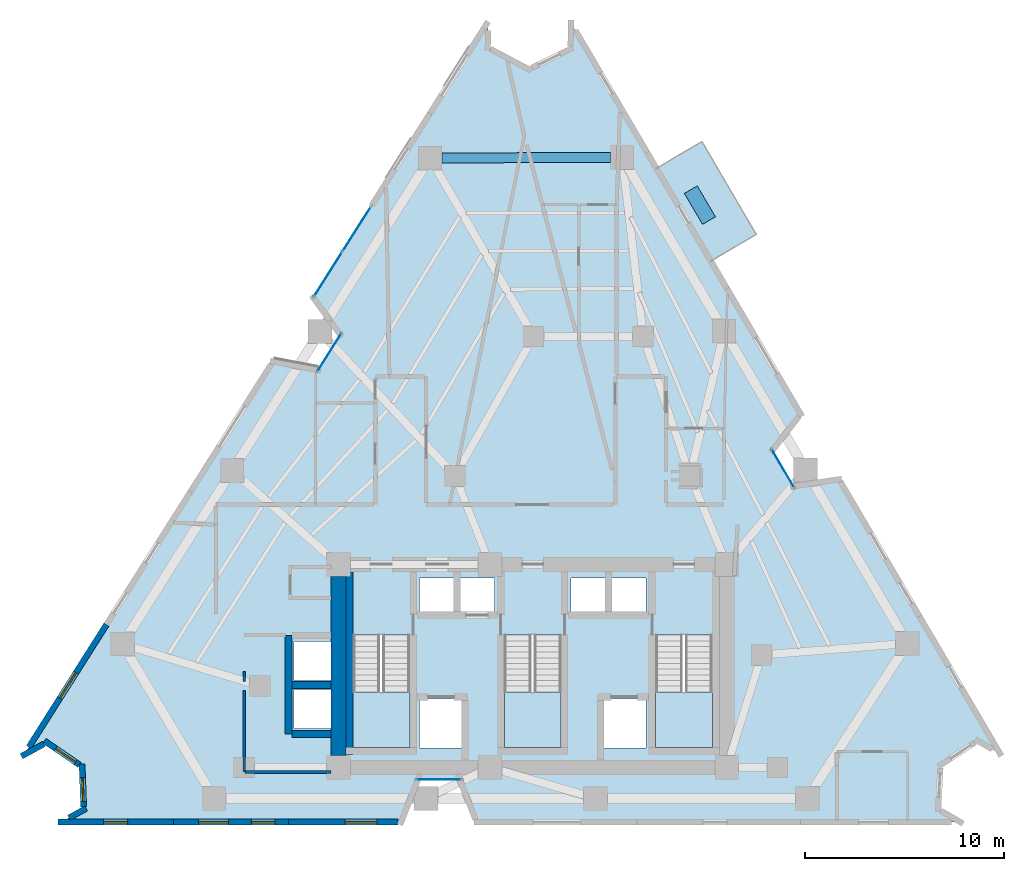
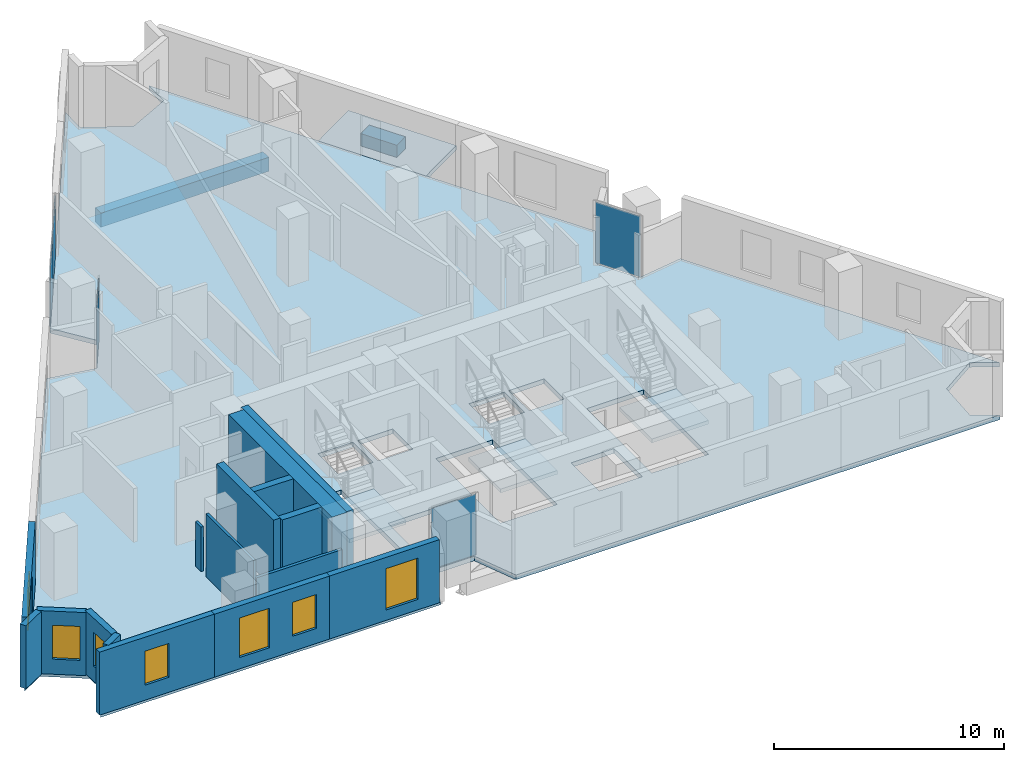
# One storey, part 5 of 11: 16 walls, 7 windows, 6 plates, 5 slabs, 1 beam, 7 openings, 7 elements without a shape of their own.
"""IFC4 building model written with IfcOpenShell, lengths in metres."""

import ifcopenshell
import ifcopenshell.guid

model = None  # the IFC model being written
_history = None  # IfcOwnerHistory: only IFC2X3 demands one
_inside = {}  # id of a spatial element -> (the spatial element, [elements in it])
_under = {}  # id of a project, library or spatial element -> (it, [spatial elements below it])
_declared = {}  # id of a project -> (the project, [libraries it declares])
_typed = {}  # id of a type object -> (the type object, [elements of that type])
_made_of = {}  # id of a material, layer set ... -> (it, [elements and type objects made of it])


def new_model(schema):
    """Start an empty IFC model of exactly this schema.

    Asked for "IFC4X3", IfcOpenShell would pick the latest addendum, in which some entities
    have other attributes; the version numbers below select the first issue.
    IFC2X3 requires an IfcOwnerHistory on every rooted entity: one is made here for all.
    """
    global model, _history
    if schema == "IFC4X3":
        model = ifcopenshell.file(schema_version=(4, 3, 0, 0))
    else:
        model = ifcopenshell.file(schema=schema)
    _inside.clear()
    _under.clear()
    _declared.clear()
    _typed.clear()
    _made_of.clear()
    _history = None
    if model.schema == "IFC2X3":
        org = make("IfcOrganization", Name="unknown")
        user = make(
            "IfcPersonAndOrganization",
            ThePerson=make("IfcPerson", FamilyName="unknown"),
            TheOrganization=org,
        )
        app = make(
            "IfcApplication",
            ApplicationDeveloper=org,
            Version="unknown",
            ApplicationFullName="unknown",
            ApplicationIdentifier="unknown",
        )
        _history = make(
            "IfcOwnerHistory",
            OwningUser=user,
            OwningApplication=app,
            ChangeAction="ADDED",
            CreationDate=0,
        )
    return model


def make(cls, **values):
    """One entity of the class cls with the attributes given. An attribute that is None is left unset."""
    return model.create_entity(
        cls, **{name: value for name, value in values.items() if value is not None}
    )


def rooted(cls, **values):
    """An entity with a GlobalId (a new one), such as an element, a storey or a relation."""
    return make(cls, GlobalId=ifcopenshell.guid.new(), OwnerHistory=_history, **values)


def si_unit(unit_type, name, prefix=None):
    """IfcSIUnit, for example si_unit("LENGTHUNIT", "METRE", prefix="MILLI")."""
    return make("IfcSIUnit", UnitType=unit_type, Prefix=prefix, Name=name)


def assignment(units):
    """IfcUnitAssignment: the units of a project."""
    return None if units is None else make("IfcUnitAssignment", Units=units)


def point(xyz):
    """IfcCartesianPoint."""
    return None if xyz is None else make("IfcCartesianPoint", Coordinates=xyz)


def direction(xyz):
    """IfcDirection."""
    return None if xyz is None else make("IfcDirection", DirectionRatios=xyz)


def frame(location, z_axis=None, x_axis=None):
    """IfcAxis2Placement3D, a coordinate frame: its origin and axes. An axis left out is left unset."""
    return make(
        "IfcAxis2Placement3D",
        Location=point(location),
        Axis=direction(z_axis),
        RefDirection=direction(x_axis),
    )


def frame_2d(location, x_axis=None):
    """IfcAxis2Placement2D, a coordinate frame in the plane: its origin and x axis."""
    return make(
        "IfcAxis2Placement2D", Location=point(location), RefDirection=direction(x_axis)
    )


def origin():
    """The frame at (0, 0, 0) with its axes left unset."""
    return frame((0.0, 0.0, 0.0))


def origin_2d():
    """The frame at (0, 0) in the plane with its x axis left unset."""
    return frame_2d((0.0, 0.0))


def place(relative_to, where):
    """IfcLocalPlacement: puts the frame where relative to a parent placement (None: the world)."""
    return make(
        "IfcLocalPlacement", PlacementRelTo=relative_to, RelativePlacement=where
    )


def context(
    kind, dimensions, precision=None, world=None, true_north=None, identifier=None
):
    """IfcGeometricRepresentationContext, for example the 3D "Model" context."""
    return make(
        "IfcGeometricRepresentationContext",
        ContextIdentifier=identifier,
        ContextType=kind,
        CoordinateSpaceDimension=dimensions,
        Precision=precision,
        WorldCoordinateSystem=world,
        TrueNorth=true_north,
    )


def subcontext(parent, identifier, kind, view, scale=None):
    """IfcGeometricRepresentationSubContext, for example "Body" below "Model"."""
    return make(
        "IfcGeometricRepresentationSubContext",
        ContextIdentifier=identifier,
        ContextType=kind,
        ParentContext=parent,
        TargetScale=scale,
        TargetView=view,
    )


def project(units=None, contexts=None):
    """IfcProject with its units and contexts."""
    return rooted(
        "IfcProject",
        Name="project",
        RepresentationContexts=contexts,
        UnitsInContext=assignment(units),
    )


def spatial(cls, under=None, at=None, **own):
    """A site, building, storey or space (cls), placed at a placement, below another one or the project."""
    s = rooted(cls, ObjectPlacement=at, **own)
    if under is not None:
        _under.setdefault(under.id(), (under, []))[1].append(s)
    return s


def polyline(points):
    """IfcPolyline through the points."""
    return make("IfcPolyline", Points=[point(p) for p in points])


def profile(cls, at=None, kind="AREA", **sizes):
    """A parametric profile (cls). Its sizes go by their IFC names, for example OverallWidth=200.0."""
    return make(cls, ProfileType=kind, Position=at, **sizes)


def rectangle(**sizes):
    """IfcRectangleProfileDef."""
    return profile("IfcRectangleProfileDef", **sizes)


def outline(outer, holes=None, kind="AREA"):
    """IfcArbitraryClosedProfileDef: a profile drawn as a closed curve; with holes, ...WithVoids."""
    if holes is None:
        return make("IfcArbitraryClosedProfileDef", ProfileType=kind, OuterCurve=outer)
    return make(
        "IfcArbitraryProfileDefWithVoids",
        ProfileType=kind,
        OuterCurve=outer,
        InnerCurves=holes,
    )


def extrude(swept, where, along, depth):
    """IfcExtrudedAreaSolid: the profile swept, set in the frame where, extruded along a direction by depth."""
    return make(
        "IfcExtrudedAreaSolid",
        SweptArea=swept,
        Position=where,
        ExtrudedDirection=direction(along),
        Depth=depth,
    )


def shape(context_of_items, identifier, shape_type, items):
    """IfcShapeRepresentation: the items that make up one representation, for example the "Body"."""
    return make(
        "IfcShapeRepresentation",
        ContextOfItems=context_of_items,
        RepresentationIdentifier=identifier,
        RepresentationType=shape_type,
        Items=items,
    )


def material(Name=None, Category=None):
    """IfcMaterial."""
    return make("IfcMaterial", Name=Name, Category=Category)


def layer(
    of_material, thickness, ventilated=None, Name=None, Category=None, Priority=None
):
    """IfcMaterialLayer: one layer of a wall or slab, of a material (None: an air gap)."""
    return make(
        "IfcMaterialLayer",
        Material=of_material,
        LayerThickness=thickness,
        IsVentilated=ventilated,
        Name=Name,
        Category=Category,
        Priority=Priority,
    )


def layer_set(layers, Name=None):
    """IfcMaterialLayerSet."""
    return make("IfcMaterialLayerSet", MaterialLayers=layers, LayerSetName=Name)


def material_profile(
    of_material, cross_section, Name=None, Category=None, Priority=None
):
    """IfcMaterialProfile: a cross section and its material."""
    return make(
        "IfcMaterialProfile",
        Name=Name,
        Material=of_material,
        Profile=cross_section,
        Priority=Priority,
        Category=Category,
    )


def profile_set(profiles, Name=None, composite=None):
    """IfcMaterialProfileSet."""
    return make(
        "IfcMaterialProfileSet",
        Name=Name,
        MaterialProfiles=profiles,
        CompositeProfile=composite,
    )


def made_of(thing, what):
    """Note that an element or type object is made of a material, layer set ...; save() writes the relation."""
    if what is not None:
        _made_of.setdefault(what.id(), (what, []))[1].append(thing)
    return thing


def type_object(cls, material=None, **own):
    """A type object (cls), such as IfcWallType, which elements share."""
    return made_of(rooted(cls, **own), material)


def element(
    cls,
    number,
    at=None,
    inside=None,
    cuts=None,
    type_object=None,
    material=None,
    context=None,
    identifier="Body",
    shape_type=None,
    held_by="IfcProductDefinitionShape",
    body=None,
    shapes=None,
    **own,
):
    """One element of the class cls, such as IfcWall. Its Tag is "e" and its number.

    at: its placement. inside: the storey or other place that contains it. cuts: it is an
    opening in that element (IfcRelVoidsElement). A single representation is given by context,
    identifier, shape_type and body (its items); several are given by shapes. held_by: the class
    of the entity that holds the representations. save() writes the other relations.
    """
    e = rooted(cls, Tag="e%d" % number, ObjectPlacement=at, **own)
    if body is not None:
        shapes = [shape(context, identifier, shape_type, body)]
    if shapes is not None:
        e.Representation = make(held_by, Representations=shapes)
    if inside is not None:
        _inside.setdefault(inside.id(), (inside, []))[1].append(e)
    if cuts is not None:
        rooted(
            "IfcRelVoidsElement", RelatingBuildingElement=cuts, RelatedOpeningElement=e
        )
    if type_object is not None:
        _typed.setdefault(type_object.id(), (type_object, []))[1].append(e)
    return made_of(e, material)


def fill(opening, filler):
    """IfcRelFillsElement: the door or window that sits in an opening."""
    return rooted(
        "IfcRelFillsElement",
        RelatingOpeningElement=opening,
        RelatedBuildingElement=filler,
    )


def aggregate(whole, parts):
    """IfcRelAggregates: a whole, such as a stair, and the parts it consists of."""
    return rooted("IfcRelAggregates", RelatingObject=whole, RelatedObjects=parts)


def save(model, path):
    """Write the relations noted so far, then the file.

    IfcRelAggregates (storeys below a building ...), IfcRelContainedInSpatialStructure (elements
    in a storey), IfcRelDefinesByType, IfcRelAssociatesMaterial and IfcRelDeclares: one each for
    every whole, place, type object, material and project.
    """
    for whole, parts in _under.values():
        aggregate(whole, parts)
    for where, things in _inside.values():
        rooted(
            "IfcRelContainedInSpatialStructure",
            RelatedElements=things,
            RelatingStructure=where,
        )
    for kind, things in _typed.values():
        rooted("IfcRelDefinesByType", RelatedObjects=things, RelatingType=kind)
    for what, things in _made_of.values():
        rooted("IfcRelAssociatesMaterial", RelatedObjects=things, RelatingMaterial=what)
    for by, libraries in _declared.values():
        rooted("IfcRelDeclares", RelatingContext=by, RelatedDefinitions=libraries)
    model.write(path)


model = new_model("IFC4")

# Units and contexts
model_context = context("Model", 3, precision=1e-05, world=origin(), true_north=direction((0.0, 1.0)))
body_context = subcontext(model_context, "Body", "Model", "MODEL_VIEW")
ifc_project = project(units=[si_unit("LENGTHUNIT", "METRE"), si_unit("AREAUNIT", "SQUARE_METRE"), si_unit("VOLUMEUNIT", "CUBIC_METRE"), si_unit("PLANEANGLEUNIT", "RADIAN"), si_unit("MASSUNIT", "GRAM", prefix="KILO")], contexts=[model_context])

# Site, building, storey
site_placement = place(None, origin())
site = spatial("IfcSite", under=ifc_project, at=site_placement, CompositionType="ELEMENT")
building_placement = place(site_placement, origin())
building = spatial("IfcBuilding", under=site, at=building_placement, Name="Almagre Mirador Tower", CompositionType="ELEMENT")
storey_placement = place(building_placement, frame((0.0, 0.0, 124.800048828125)))
storey = spatial("IfcBuildingStorey", under=building, at=storey_placement, Name="L31", CompositionType="ELEMENT", Elevation=124.800048828125)

# Beam
ifc_material_1 = material(Name="Precast concrete C50/60", Category="concrete")
ifc_material_profile = material_profile(ifc_material_1, rectangle(XDim=0.5, YDim=0.75, at=origin_2d()), Name="RC500X750")
ifc_profile_set = profile_set([ifc_material_profile], Name="Precast concrete C50/60")
beam_type = type_object("IfcBeamType", Name="BM-SPN-RC500X750", PredefinedType="SPANDREL", material=ifc_profile_set)
beam_placement = place(storey_placement, frame((41.197021484375, 35.197998046875, -0.625), z_axis=(-0.999993795162, -0.003522731665, 0.0), x_axis=(0.003522731665, -0.999993795162, 0.0)))
element("IfcBeam", 1, at=beam_placement, inside=storey, type_object=beam_type, Name="L31 perimeter spandrel beam PC08-PC09", PredefinedType="SPANDREL", context=body_context, shape_type="SweptSolid", body=[
    extrude(rectangle(XDim=0.5, YDim=0.75, at=origin_2d()), origin(), (0.0, 0.0, 1.0), 8.455078125),
])

# Curtain wall, plate
ifc_material_2 = material(Name="Black anodized aluminium", Category="aluminium")
ifc_layer_1 = layer(ifc_material_2, 0.169921875)
ifc_layer_set_1 = layer_set([ifc_layer_1], Name="Black anodized aluminium")
curtain_wall_type_1 = type_object("IfcCurtainWallType", Name="CW-CRS-SYS", PredefinedType="NOTDEFINED", material=ifc_layer_set_1)
curtain_wall_1_placement = place(storey_placement, origin())
curtain_wall_1 = element("IfcCurtainWall", 2, at=curtain_wall_1_placement, inside=storey, type_object=curtain_wall_type_1, Name="L31 vertical crease curtain wall 01", PredefinedType="NOTDEFINED")
ifc_material_3 = material(Name="Dark solar-control laminated hurricane glass", Category="glass")
ifc_layer_2 = layer(ifc_material_3, 0.028076171875)
ifc_layer_set_2 = layer_set([ifc_layer_2], Name="Dark solar-control laminated hurricane glass")
plate_type_1 = type_object("IfcPlateType", Name="PLT-GLZ-28", PredefinedType="CURTAIN_PANEL", material=ifc_layer_set_2)
plate_1_placement = place(storey_placement, frame((27.08203125, 25.39697265625, 0.06005859375), z_axis=(0.0, 0.0, 1.0), x_axis=(0.534897494582, 0.844916960589, 0.0)))
plate_1 = element("IfcPlate", 3, at=plate_1_placement, type_object=plate_type_1, Name="CW-4 panel 1.1", PredefinedType="CURTAIN_PANEL", context=body_context, shape_type="SweptSolid", body=[
    extrude(rectangle(XDim=2.250244140625, YDim=0.028076171875, at=origin_2d()), origin(), (0.0, 0.0, 1.0), 3.22998046875),
])
aggregate(curtain_wall_1, [plate_1])

curtain_wall_2_placement = place(storey_placement, origin())
curtain_wall_2 = element("IfcCurtainWall", 4, at=curtain_wall_2_placement, inside=storey, type_object=curtain_wall_type_1, Name="L31 vertical crease curtain wall 03", PredefinedType="NOTDEFINED")
plate_2_placement = place(storey_placement, frame((49.8701171875, 19.574951171875, 0.06005859375), z_axis=(0.0, 0.0, 1.0), x_axis=(0.506330207561, -0.862339678382, 0.0)))
plate_2 = element("IfcPlate", 5, at=plate_2_placement, type_object=plate_type_1, Name="CW-4 panel 1.1", PredefinedType="CURTAIN_PANEL", context=body_context, shape_type="SweptSolid", body=[
    extrude(rectangle(XDim=2.24951171875, YDim=0.028076171875, at=origin_2d()), origin(), (0.0, 0.0, 1.0), 3.22998046875),
])
aggregate(curtain_wall_2, [plate_2])

curtain_wall_3_placement = place(storey_placement, origin())
curtain_wall_3 = element("IfcCurtainWall", 6, at=curtain_wall_3_placement, inside=storey, type_object=curtain_wall_type_1, Name="L31 vertical crease curtain wall 04", PredefinedType="NOTDEFINED")
plate_3_placement = place(storey_placement, frame((32.583984375, 3.949951171875, 0.06005859375), z_axis=(0.0, 0.0, 1.0), x_axis=(-1.0, 0.0, 0.0)))
plate_3 = element("IfcPlate", 7, at=plate_3_placement, type_object=plate_type_1, Name="CW-4 panel 1.1", PredefinedType="CURTAIN_PANEL", context=body_context, shape_type="SweptSolid", body=[
    extrude(rectangle(XDim=2.25, YDim=0.028076171875, at=origin_2d()), origin(), (0.0, 0.0, 1.0), 3.22998046875),
])
aggregate(curtain_wall_3, [plate_3])

# Curtain wall, plates
ifc_material_4 = material(Name="Black anodized aluminium", Category="aluminium")
ifc_layer_3 = layer(ifc_material_4, 0.199951171875)
ifc_layer_set_3 = layer_set([ifc_layer_3], Name="Black anodized aluminium")
curtain_wall_type_2 = type_object("IfcCurtainWallType", Name="CW-RES-H-SYS", PredefinedType="NOTDEFINED", material=ifc_layer_set_3)
curtain_wall_4_placement = place(storey_placement, origin())
curtain_wall_4 = element("IfcCurtainWall", 8, at=curtain_wall_4_placement, inside=storey, type_object=curtain_wall_type_2, Name="L31 curtain wall run 02", PredefinedType="NOTDEFINED")
ifc_material_5 = material(Name="Dark solar-control laminated hurricane glass", Category="glass")
ifc_layer_4 = layer(ifc_material_5, 0.035888671875)
ifc_layer_set_4 = layer_set([ifc_layer_4], Name="Dark solar-control laminated hurricane glass")
plate_type_2 = type_object("IfcPlateType", Name="PLT-GLZ-36", PredefinedType="CURTAIN_PANEL", material=ifc_layer_set_4)
plate_4_placement = place(storey_placement, frame((27.022216796875, 29.322265625, 0.06494140625), z_axis=(0.0, 0.0, 1.0), x_axis=(0.534901172271, 0.844914632317, 0.0)))
plate_4 = element("IfcPlate", 9, at=plate_4_placement, type_object=plate_type_2, Name="CW-3 panel 1.1", PredefinedType="CURTAIN_PANEL", context=body_context, shape_type="SweptSolid", body=[
    extrude(rectangle(XDim=2.637939453125, YDim=0.035888671875, at=origin_2d()), origin(), (0.0, 0.0, 1.0), 3.219970703125),
])
plate_5_placement = place(storey_placement, frame((28.468017578125, 31.60595703125, 0.06494140625), z_axis=(0.0, 0.0, 1.0), x_axis=(0.534901172271, 0.844914632317, 0.0)))
plate_5 = element("IfcPlate", 10, at=plate_5_placement, type_object=plate_type_2, Name="CW-3 panel 2.1", PredefinedType="CURTAIN_PANEL", context=body_context, shape_type="SweptSolid", body=[
    extrude(rectangle(XDim=2.637939453125, YDim=0.035888671875, at=origin_2d()), origin(), (0.0, 0.0, 1.0), 3.219970703125),
])
aggregate(curtain_wall_4, [plate_4, plate_5])

# Plate
ifc_material_6 = material(Name="Precast concrete C50/60", Category="concrete")
ifc_layer_5 = layer(ifc_material_6, 0.64990234375)
ifc_layer_set_5 = layer_set([ifc_layer_5], Name="Precast concrete C50/60")
plate_type_3 = type_object("IfcPlateType", Name="PLT-PLANTER-1800", PredefinedType="USERDEFINED", material=ifc_layer_set_5)
plate_6_placement = place(storey_placement, frame((45.698974609375, 32.801025390625, 0.0), z_axis=(0.0, 0.0, 1.0), x_axis=(-0.506334807353, 0.862336977557, 0.0)))
element("IfcPlate", 11, at=plate_6_placement, inside=storey, type_object=plate_type_3, Name="L31 east balcony structural tree planter 2", ObjectType="PLANTER", PredefinedType="USERDEFINED", context=body_context, shape_type="SweptSolid", body=[
    extrude(rectangle(XDim=1.800048828125, YDim=0.75, at=origin_2d()), origin(), (0.0, 0.0, 1.0), 0.64990234375),
])

# Slabs
ifc_material_7 = material(Name="Concrete C45/55", Category="concrete")
ifc_layer_6 = layer(ifc_material_7, 0.239990234375)
ifc_layer_set_6 = layer_set([ifc_layer_6], Name="Concrete C45/55")
slab_type_1 = type_object("IfcSlabType", Name="SLB-BAL-240", PredefinedType="USERDEFINED", material=ifc_layer_set_6)
slab_1_placement = place(storey_placement, frame((0.0, 0.0, -0.239990234375)))
element("IfcSlab", 12, at=slab_1_placement, inside=storey, type_object=slab_type_1, Name="L31 east planted tree balcony 2", ObjectType="BALCONY", PredefinedType="USERDEFINED", context=body_context, shape_type="SweptSolid", body=[
    extrude(outline(polyline([(46.22998046875, 29.98193359375), (43.49609375, 34.637939453125), (45.798095703125, 35.989990234375), (48.531982421875, 31.3330078125), (46.22998046875, 29.98193359375)])), origin(), (0.0, 0.0, 1.0), 0.239990234375),
])
ifc_material_8 = material(Name="Concrete C45/55", Category="concrete")
ifc_layer_7 = layer(ifc_material_8, 0.25)
ifc_layer_set_7 = layer_set([ifc_layer_7], Name="Concrete C45/55")
slab_type_2 = type_object("IfcSlabType", Name="SLB-FLR-250", PredefinedType="FLOOR", material=ifc_layer_set_7)
slab_2_placement = place(storey_placement, frame((0.0, 0.0, -0.25)))
element("IfcSlab", 13, at=slab_2_placement, inside=storey, type_object=slab_type_2, Name="L31 structural floor slab", PredefinedType="FLOOR", context=body_context, shape_type="SweptSolid", body=[
    extrude(outline(polyline([(11.739013671875, 5.179931640625), (12.883056640625, 5.80908203125), (14.6630859375, 4.5869140625), (14.742919921875, 2.428955078125), (13.60009765625, 1.800048828125), (30.68408203125, 1.800048828125), (31.5390625, 3.949951171875), (33.62890625, 3.949951171875), (34.48388671875, 1.800048828125), (58.800048828125, 1.800048828125), (57.6669921875, 2.447998046875), (57.783935546875, 4.672119140625), (59.64208984375, 5.89794921875), (60.77490234375, 5.2490234375), (52.68603515625, 19.02490234375), (50.39892578125, 18.674072265625), (49.341064453125, 20.47607421875), (50.761962890625, 22.302001953125), (39.22509765625, 41.950927734375), (39.2041015625, 40.64599609375), (37.10302734375, 39.62109375), (35.0390625, 40.715087890625), (35.06103515625, 42.02001953125), (26.281982421875, 28.153076171875), (27.64111328125, 26.280029296875), (26.52294921875, 24.513916015625), (24.2490234375, 24.94189453125), (11.739013671875, 5.179931640625)]), holes=[polyline([(43.47509765625, 5.550048828125), (43.47509765625, 11.196044921875), (46.324951171875, 11.196044921875), (46.324951171875, 5.550048828125), (43.47509765625, 5.550048828125)]), polyline([(40.820068359375, 5.52001953125), (40.820068359375, 7.97998046875), (42.97998046875, 7.97998046875), (42.97998046875, 5.52001953125), (40.820068359375, 5.52001953125)]), polyline([(41.219970703125, 12.320068359375), (41.219970703125, 14.080078125), (42.97998046875, 14.080078125), (42.97998046875, 12.320068359375), (41.219970703125, 12.320068359375)]), polyline([(39.219970703125, 12.320068359375), (39.219970703125, 14.080078125), (40.97998046875, 14.080078125), (40.97998046875, 12.320068359375), (39.219970703125, 12.320068359375)]), polyline([(35.875, 11.196044921875), (38.72509765625, 11.196044921875), (38.72509765625, 5.550048828125), (35.875, 5.550048828125), (35.875, 11.196044921875)]), polyline([(35.3798828125, 12.320068359375), (33.6201171875, 12.320068359375), (33.6201171875, 14.080078125), (35.3798828125, 14.080078125), (35.3798828125, 12.320068359375)]), polyline([(33.780029296875, 5.52001953125), (31.6201171875, 5.52001953125), (31.6201171875, 7.97998046875), (33.780029296875, 7.97998046875), (33.780029296875, 5.52001953125)]), polyline([(31.6201171875, 12.320068359375), (31.6201171875, 14.080078125), (33.3798828125, 14.080078125), (33.3798828125, 12.320068359375), (31.6201171875, 12.320068359375)]), polyline([(28.27490234375, 5.550048828125), (28.27490234375, 11.196044921875), (31.125, 11.196044921875), (31.125, 5.550048828125), (28.27490234375, 5.550048828125)]), polyline([(25.320068359375, 8.919921875), (25.320068359375, 10.8798828125), (27.3798828125, 10.8798828125), (27.3798828125, 8.919921875), (25.320068359375, 8.919921875)]), polyline([(27.3798828125, 6.52001953125), (25.320068359375, 6.52001953125), (25.320068359375, 8.47998046875), (27.3798828125, 8.47998046875), (27.3798828125, 6.52001953125)])]), origin(), (0.0, 0.0, 1.0), 0.25),
])

# Stair, slab
ifc_material_9 = material(Name="Concrete C45/55", Category="concrete")
stair_type = type_object("IfcStairType", Name="STR-DL-3600", PredefinedType="HALF_TURN_STAIR", material=ifc_material_9)
stair_1_placement = place(storey_placement, origin())
stair_1 = element("IfcStair", 14, at=stair_1_placement, inside=storey, type_object=stair_type, Name="L31 Protected exit stair ST-1", PredefinedType="HALF_TURN_STAIR")
ifc_material_10 = material(Name="Concrete C45/55", Category="concrete")
ifc_layer_8 = layer(ifc_material_10, 0.199951171875)
ifc_layer_set_8 = layer_set([ifc_layer_8], Name="Concrete C45/55")
slab_type_3 = type_object("IfcSlabType", Name="SLB-LND-200", PredefinedType="LANDING", material=ifc_layer_set_8)
slab_3_placement = place(storey_placement, frame((0.0, 0.0, 1.599853515625)))
slab_3 = element("IfcSlab", 15, at=slab_3_placement, type_object=slab_type_3, Name="ST-1 landing 1", PredefinedType="LANDING", context=body_context, shape_type="SweptSolid", body=[
    extrude(outline(polyline([(28.27490234375, 8.35009765625), (28.27490234375, 5.550048828125), (31.125, 5.550048828125), (31.125, 8.35009765625), (28.27490234375, 8.35009765625)])), origin(), (0.0, 0.0, 1.0), 0.2001953125),
])
aggregate(stair_1, [slab_3])

stair_2_placement = place(storey_placement, origin())
stair_2 = element("IfcStair", 16, at=stair_2_placement, inside=storey, type_object=stair_type, Name="L31 Protected exit stair ST-2", PredefinedType="HALF_TURN_STAIR")
slab_4_placement = place(storey_placement, frame((0.0, 0.0, 1.599853515625)))
slab_4 = element("IfcSlab", 17, at=slab_4_placement, type_object=slab_type_3, Name="ST-2 landing 1", PredefinedType="LANDING", context=body_context, shape_type="SweptSolid", body=[
    extrude(outline(polyline([(35.875, 8.35009765625), (35.875, 5.550048828125), (38.72509765625, 5.550048828125), (38.72509765625, 8.35009765625), (35.875, 8.35009765625)])), origin(), (0.0, 0.0, 1.0), 0.2001953125),
])
aggregate(stair_2, [slab_4])

stair_3_placement = place(storey_placement, origin())
stair_3 = element("IfcStair", 18, at=stair_3_placement, inside=storey, type_object=stair_type, Name="L31 Protected exit stair ST-3", PredefinedType="HALF_TURN_STAIR")
slab_5_placement = place(storey_placement, frame((0.0, 0.0, 1.599853515625)))
slab_5 = element("IfcSlab", 19, at=slab_5_placement, type_object=slab_type_3, Name="ST-3 landing 1", PredefinedType="LANDING", context=body_context, shape_type="SweptSolid", body=[
    extrude(outline(polyline([(43.47509765625, 8.35009765625), (43.47509765625, 5.550048828125), (46.324951171875, 5.550048828125), (46.324951171875, 8.35009765625), (43.47509765625, 8.35009765625)])), origin(), (0.0, 0.0, 1.0), 0.2001953125),
])
aggregate(stair_3, [slab_5])

# Wall, opening, window
ifc_material_11 = material(Name="Precast concrete C50/60", Category="concrete")
ifc_layer_9 = layer(ifc_material_11, 0.300048828125)
ifc_layer_set_9 = layer_set([ifc_layer_9], Name="Precast concrete C50/60")
wall_type_1 = type_object("IfcWallType", Name="WAL-EXT-300", PredefinedType="SOLIDWALL", material=ifc_layer_set_9)
wall_1_placement = place(storey_placement, frame((30.5439453125, 1.800048828125, 0.0), z_axis=(0.0, 0.0, 1.0), x_axis=(-1.0, 0.0, 0.0)))
wall_1 = element("IfcWall", 20, at=wall_1_placement, inside=storey, type_object=wall_type_1, Name="L31 expressed almagre precast frame wall 26", PredefinedType="SOLIDWALL", context=body_context, shape_type="SweptSolid", body=[
    extrude(rectangle(XDim=5.508056640625, YDim=0.300048828125, at=frame_2d((2.75390625, 0.0))), origin(), (0.0, 0.0, 1.0), 3.349853515625),
])
opening_1_placement = place(wall_1_placement, frame((1.070068359375, 0.0, 0.550048828125)))
opening_1 = element("IfcOpeningElement", 21, at=opening_1_placement, cuts=wall_1, Name="Opening WN-06", PredefinedType="OPENING", context=body_context, shape_type="SweptSolid", body=[
    extrude(rectangle(XDim=1.60009765625, YDim=2.199951171875, at=frame_2d((0.800048828125, 1.10009765625))), frame((0.0, 0.159902, 0.0), z_axis=(0.0, -1.0, 0.0), x_axis=(1.0, 0.0, 0.0)), (0.0, 0.0, 1.0), 0.320049),
])
ifc_material_12 = material(Name="Dark solar-control laminated hurricane glass", Category="glass")
window_type_1 = type_object("IfcWindowType", Name="WIN-1600X2200", PartitioningType="DOUBLE_PANEL_VERTICAL", PredefinedType="WINDOW", material=ifc_material_12)
window_1_placement = place(opening_1_placement, origin())
window_1 = element("IfcWindow", 22, at=window_1_placement, inside=storey, type_object=window_type_1, Name="L31 recessed hurricane window L31-RST-B", OverallHeight=2.199951171875, OverallWidth=1.60009765625, PartitioningType="SINGLE_PANEL", PredefinedType="WINDOW", context=body_context, shape_type="SweptSolid", body=[
    extrude(rectangle(XDim=1.60009765625, YDim=2.199951171875, at=frame_2d((0.800048828125, 1.10009765625))), frame((0.0, 0.030029296875, 0.0), z_axis=(0.0, -1.0, 0.0), x_axis=(1.0, 0.0, 0.0)), (0.0, 0.0, 1.0), 0.06005859375),
])
fill(opening_1, window_1)

# Wall, openings, windows
wall_2_placement = place(storey_placement, frame((25.035888671875, 1.800048828125, 0.0), z_axis=(0.0, 0.0, 1.0), x_axis=(-1.0, 0.0, 0.0)))
wall_2 = element("IfcWall", 23, at=wall_2_placement, inside=storey, type_object=wall_type_1, Name="L31 expressed almagre precast frame wall 27", PredefinedType="SOLIDWALL", context=body_context, shape_type="SweptSolid", body=[
    extrude(rectangle(XDim=5.787841796875, YDim=0.300048828125, at=frame_2d((2.89404296875, 0.0))), origin(), (0.0, 0.0, 1.0), 3.349853515625),
])
opening_2_placement = place(wall_2_placement, frame((3.02490234375, 0.0, 0.60009765625)))
opening_2 = element("IfcOpeningElement", 24, at=opening_2_placement, cuts=wall_2, Name="Opening WN-03", PredefinedType="OPENING", context=body_context, shape_type="SweptSolid", body=[
    extrude(rectangle(XDim=1.5, YDim=2.10009765625, at=frame_2d((0.75, 1.050048828125))), frame((0.0, 0.159902, 0.0), z_axis=(0.0, -1.0, 0.0), x_axis=(1.0, 0.0, 0.0)), (0.0, 0.0, 1.0), 0.320049),
])
opening_3_placement = place(wall_2_placement, frame((0.675048828125, 0.0, 0.800048828125)))
opening_3 = element("IfcOpeningElement", 25, at=opening_3_placement, cuts=wall_2, Name="Opening WN-04", PredefinedType="OPENING", context=body_context, shape_type="SweptSolid", body=[
    extrude(rectangle(XDim=1.199951171875, YDim=1.800048828125, at=frame_2d((0.60009765625, 0.89990234375))), frame((0.0, 0.159902, 0.0), z_axis=(0.0, -1.0, 0.0), x_axis=(1.0, 0.0, 0.0)), (0.0, 0.0, 1.0), 0.320049),
])
ifc_material_13 = material(Name="Dark solar-control laminated hurricane glass", Category="glass")
window_type_2 = type_object("IfcWindowType", Name="WIN-1200X1800", PartitioningType="SINGLE_PANEL", PredefinedType="WINDOW", material=ifc_material_13)
window_2_placement = place(opening_3_placement, origin())
window_2 = element("IfcWindow", 26, at=window_2_placement, inside=storey, type_object=window_type_2, Name="L31 recessed hurricane window L31-UA-BT", OverallHeight=1.800048828125, OverallWidth=1.199951171875, PartitioningType="SINGLE_PANEL", PredefinedType="WINDOW", context=body_context, shape_type="SweptSolid", body=[
    extrude(rectangle(XDim=1.199951171875, YDim=1.800048828125, at=frame_2d((0.60009765625, 0.89990234375))), frame((0.0, 0.030029296875, 0.0), z_axis=(0.0, -1.0, 0.0), x_axis=(1.0, 0.0, 0.0)), (0.0, 0.0, 1.0), 0.06005859375),
])
fill(opening_3, window_2)
ifc_material_14 = material(Name="Dark solar-control laminated hurricane glass", Category="glass")
window_type_3 = type_object("IfcWindowType", Name="WIN-1500X2100", PartitioningType="DOUBLE_PANEL_VERTICAL", PredefinedType="WINDOW", material=ifc_material_14)
window_3_placement = place(opening_2_placement, origin())
window_3 = element("IfcWindow", 27, at=window_3_placement, inside=storey, type_object=window_type_3, Name="L31 recessed hurricane window L31-UA-KT", OverallHeight=2.10009765625, OverallWidth=1.5, PartitioningType="SINGLE_PANEL", PredefinedType="WINDOW", context=body_context, shape_type="SweptSolid", body=[
    extrude(rectangle(XDim=1.5, YDim=2.10009765625, at=frame_2d((0.75, 1.050048828125))), frame((0.0, 0.030029296875, 0.0), z_axis=(0.0, -1.0, 0.0), x_axis=(1.0, 0.0, 0.0)), (0.0, 0.0, 1.0), 0.06005859375),
])
fill(opening_2, window_3)

# Wall, opening, window
wall_3_placement = place(storey_placement, frame((19.248046875, 1.800048828125, 0.0), z_axis=(0.0, 0.0, 1.0), x_axis=(-1.0, 0.0, 0.0)))
wall_3 = element("IfcWall", 28, at=wall_3_placement, inside=storey, type_object=wall_type_1, Name="L31 expressed almagre precast frame wall 28", PredefinedType="SOLIDWALL", context=body_context, shape_type="SweptSolid", body=[
    extrude(rectangle(XDim=5.7880859375, YDim=0.300048828125, at=frame_2d((2.89404296875, 0.0))), origin(), (0.0, 0.0, 1.0), 3.349853515625),
])
opening_4_placement = place(wall_3_placement, frame((2.300048828125, 0.0, 0.800048828125)))
opening_4 = element("IfcOpeningElement", 29, at=opening_4_placement, cuts=wall_3, Name="Opening WN-04", PredefinedType="OPENING", context=body_context, shape_type="SweptSolid", body=[
    extrude(rectangle(XDim=1.199951171875, YDim=1.800048828125, at=frame_2d((0.60009765625, 0.89990234375))), frame((0.0, 0.159902, 0.0), z_axis=(0.0, -1.0, 0.0), x_axis=(1.0, 0.0, 0.0)), (0.0, 0.0, 1.0), 0.320049),
])
window_4_placement = place(opening_4_placement, origin())
window_4 = element("IfcWindow", 30, at=window_4_placement, inside=storey, type_object=window_type_2, Name="L31 recessed hurricane window L31-UD-KT", OverallHeight=1.800048828125, OverallWidth=1.199951171875, PartitioningType="SINGLE_PANEL", PredefinedType="WINDOW", context=body_context, shape_type="SweptSolid", body=[
    extrude(rectangle(XDim=1.199951171875, YDim=1.800048828125, at=frame_2d((0.60009765625, 0.89990234375))), frame((0.0, 0.030029296875, 0.0), z_axis=(0.0, -1.0, 0.0), x_axis=(1.0, 0.0, 0.0)), (0.0, 0.0, 1.0), 0.06005859375),
])
fill(opening_4, window_4)

# Wall
wall_4_placement = place(storey_placement, frame((14.00732421875, 2.024169921875, 0.0), z_axis=(0.0, 0.0, 1.0), x_axis=(0.876089618579, 0.482148296914, 0.0)))
element("IfcWall", 31, at=wall_4_placement, inside=storey, type_object=wall_type_1, Name="L31 expressed almagre precast frame wall 29", PredefinedType="SOLIDWALL", context=body_context, shape_type="SweptSolid", body=[
    extrude(rectangle(XDim=0.979736328125, YDim=0.300048828125, at=frame_2d((0.48974609375, 0.0))), origin(), (0.0, 0.0, 1.0), 3.349853515625),
])

# Wall, opening, window
wall_5_placement = place(storey_placement, frame((14.737548828125, 2.578857421875, 0.0), z_axis=(0.0, 0.0, 1.0), x_axis=(-0.037141892545, 0.99931000186, 0.0)))
wall_5 = element("IfcWall", 32, at=wall_5_placement, inside=storey, type_object=wall_type_1, Name="L31 expressed almagre precast frame wall 30", PredefinedType="SOLIDWALL", context=body_context, shape_type="SweptSolid", body=[
    extrude(rectangle(XDim=2.1494140625, YDim=0.300048828125, at=frame_2d((1.07470703125, 0.0))), origin(), (0.0, 0.0, 1.0), 3.349853515625),
])
opening_5_placement = place(wall_5_placement, frame((0.260009765625, 0.0, 0.800048828125)))
opening_5 = element("IfcOpeningElement", 33, at=opening_5_placement, cuts=wall_5, Name="Opening WN-04", PredefinedType="OPENING", context=body_context, shape_type="SweptSolid", body=[
    extrude(rectangle(XDim=1.199951171875, YDim=1.800048828125, at=frame_2d((0.60009765625, 0.89990234375))), frame((0.0, 0.159902, 0.0), z_axis=(0.0, -1.0, 0.0), x_axis=(1.0, 0.0, 0.0)), (0.0, 0.0, 1.0), 0.320049),
])
window_5_placement = place(opening_5_placement, origin())
window_5 = element("IfcWindow", 34, at=window_5_placement, inside=storey, type_object=window_type_2, Name="L31 recessed hurricane window L31-UD-KT", OverallHeight=1.800048828125, OverallWidth=1.199951171875, PartitioningType="SINGLE_PANEL", PredefinedType="WINDOW", context=body_context, shape_type="SweptSolid", body=[
    extrude(rectangle(XDim=1.199951171875, YDim=1.800048828125, at=frame_2d((0.60009765625, 0.89990234375))), frame((0.0, 0.030029296875, 0.0), z_axis=(0.0, -1.0, 0.0), x_axis=(1.0, 0.0, 0.0)), (0.0, 0.0, 1.0), 0.06005859375),
])
fill(opening_5, window_5)

wall_6_placement = place(storey_placement, frame((14.539306640625, 4.671875, 0.0), z_axis=(0.0, 0.0, 1.0), x_axis=(-0.824422928204, 0.565974235678, 0.0)))
wall_6 = element("IfcWall", 35, at=wall_6_placement, inside=storey, type_object=wall_type_1, Name="L31 expressed almagre precast frame wall 31", PredefinedType="SOLIDWALL", context=body_context, shape_type="SweptSolid", body=[
    extrude(rectangle(XDim=2.149169921875, YDim=0.300048828125, at=frame_2d((1.07470703125, 0.0))), origin(), (0.0, 0.0, 1.0), 3.349853515625),
])
opening_6_placement = place(wall_6_placement, frame((0.260009765625, 0.0, 0.800048828125)))
opening_6 = element("IfcOpeningElement", 36, at=opening_6_placement, cuts=wall_6, Name="Opening WN-04", PredefinedType="OPENING", context=body_context, shape_type="SweptSolid", body=[
    extrude(rectangle(XDim=1.199951171875, YDim=1.800048828125, at=frame_2d((0.60009765625, 0.89990234375))), frame((0.0, 0.159902, 0.0), z_axis=(0.0, -1.0, 0.0), x_axis=(1.0, 0.0, 0.0)), (0.0, 0.0, 1.0), 0.320049),
])
window_6_placement = place(opening_6_placement, origin())
window_6 = element("IfcWindow", 37, at=window_6_placement, inside=storey, type_object=window_type_2, Name="L31 recessed hurricane window L31-UD-KT", OverallHeight=1.800048828125, OverallWidth=1.199951171875, PartitioningType="SINGLE_PANEL", PredefinedType="WINDOW", context=body_context, shape_type="SweptSolid", body=[
    extrude(rectangle(XDim=1.199951171875, YDim=1.800048828125, at=frame_2d((0.60009765625, 0.89990234375))), frame((0.0, 0.030029296875, 0.0), z_axis=(0.0, -1.0, 0.0), x_axis=(1.0, 0.0, 0.0)), (0.0, 0.0, 1.0), 0.06005859375),
])
fill(opening_6, window_6)

# Wall
wall_7_placement = place(storey_placement, frame((12.751708984375, 5.73681640625, 0.0), z_axis=(0.0, 0.0, 1.0), x_axis=(-0.876299432815, -0.481766856527, 0.0)))
element("IfcWall", 38, at=wall_7_placement, inside=storey, type_object=wall_type_1, Name="L31 expressed almagre precast frame wall 32", PredefinedType="SOLIDWALL", context=body_context, shape_type="SweptSolid", body=[
    extrude(rectangle(XDim=1.2958984375, YDim=0.300048828125, at=frame_2d((0.64794921875, 0.0))), origin(), (0.0, 0.0, 1.0), 3.349853515625),
])

# Wall, opening, window
wall_8_placement = place(storey_placement, frame((11.990478515625, 5.5771484375, 0.0), z_axis=(0.0, 0.0, 1.0), x_axis=(0.534870945386, 0.844933767689, 0.0)))
wall_8 = element("IfcWall", 39, at=wall_8_placement, inside=storey, type_object=wall_type_1, Name="L31 expressed almagre precast frame wall 33", PredefinedType="SOLIDWALL", context=body_context, shape_type="SweptSolid", body=[
    extrude(rectangle(XDim=7.279541015625, YDim=0.300048828125, at=frame_2d((3.6396484375, 0.0))), origin(), (0.0, 0.0, 1.0), 3.349853515625),
])
opening_7_placement = place(wall_8_placement, frame((2.9150390625, 0.0, 0.60009765625)))
opening_7 = element("IfcOpeningElement", 40, at=opening_7_placement, cuts=wall_8, Name="Opening WN-03", PredefinedType="OPENING", context=body_context, shape_type="SweptSolid", body=[
    extrude(rectangle(XDim=1.5, YDim=2.10009765625, at=frame_2d((0.75, 1.050048828125))), frame((0.0, 0.159902, 0.0), z_axis=(0.0, -1.0, 0.0), x_axis=(1.0, 0.0, 0.0)), (0.0, 0.0, 1.0), 0.320049),
])
window_7_placement = place(opening_7_placement, origin())
window_7 = element("IfcWindow", 41, at=window_7_placement, inside=storey, type_object=window_type_3, Name="L31 recessed hurricane window L31-UD-KT", OverallHeight=2.10009765625, OverallWidth=1.5, PartitioningType="SINGLE_PANEL", PredefinedType="WINDOW", context=body_context, shape_type="SweptSolid", body=[
    extrude(rectangle(XDim=1.5, YDim=2.10009765625, at=frame_2d((0.75, 1.050048828125))), frame((0.0, 0.030029296875, 0.0), z_axis=(0.0, -1.0, 0.0), x_axis=(1.0, 0.0, 0.0)), (0.0, 0.0, 1.0), 0.06005859375),
])
fill(opening_7, window_7)

# Walls
ifc_material_15 = material(Name="Gypsum acoustic stud partition", Category="other")
ifc_layer_10 = layer(ifc_material_15, 0.125)
ifc_layer_set_10 = layer_set([ifc_layer_10], Name="Gypsum acoustic stud partition")
wall_type_2 = type_object("IfcWallType", Name="WAL-PRT-125-UTL", PredefinedType="PARTITIONING", material=ifc_layer_set_10)
wall_9_placement = place(storey_placement, frame((22.800048828125, 8.429931640625, 0.0), z_axis=(0.0, 0.0, 1.0), x_axis=(0.0, -1.0, 0.0)))
element("IfcWall", 42, at=wall_9_placement, inside=storey, type_object=wall_type_2, Name="L31 interior partition 021", PredefinedType="PARTITIONING", context=body_context, shape_type="SweptSolid", body=[
    extrude(rectangle(XDim=4.10986328125, YDim=0.125, at=frame_2d((2.054931640625, 0.0))), origin(), (0.0, 0.0, 1.0), 3.349853515625),
])
wall_10_placement = place(storey_placement, frame((22.800048828125, 9.3701171875, 0.0), z_axis=(0.0, 0.0, 1.0), x_axis=(0.0, -1.0, 0.0)))
element("IfcWall", 43, at=wall_10_placement, inside=storey, type_object=wall_type_2, Name="L31 interior partition 022", PredefinedType="PARTITIONING", context=body_context, shape_type="SweptSolid", body=[
    extrude(rectangle(XDim=0.5, YDim=0.125, at=frame_2d((0.25, 0.0))), origin(), (0.0, 0.0, 1.0), 2.3720703125),
])
ifc_material_16 = material(Name="Gypsum acoustic stud partition", Category="other")
ifc_layer_11 = layer(ifc_material_16, 0.14990234375)
ifc_layer_set_11 = layer_set([ifc_layer_11], Name="Gypsum acoustic stud partition")
wall_type_3 = type_object("IfcWallType", Name="WAL-PRT-150-STD", PredefinedType="PARTITIONING", material=ifc_layer_set_11)
wall_11_placement = place(storey_placement, frame((22.847412109375, 4.320068359375, 0.0), z_axis=(0.0, 0.0, 1.0), x_axis=(1.0, 0.0, 0.0)))
element("IfcWall", 44, at=wall_11_placement, inside=storey, type_object=wall_type_3, Name="L31 interior partition 023", PredefinedType="PARTITIONING", context=body_context, shape_type="SweptSolid", body=[
    extrude(rectangle(XDim=4.32763671875, YDim=0.14990234375, at=frame_2d((2.163818359375, 0.0))), origin(), (0.0, 0.0, 1.0), 2.43603515625),
])
ifc_material_17 = material(Name="Concrete C60/75", Category="concrete")
ifc_layer_12 = layer(ifc_material_17, 0.35009765625)
ifc_layer_set_12 = layer_set([ifc_layer_12], Name="Concrete C60/75")
wall_type_4 = type_object("IfcWallType", Name="WAL-SHF-350", PredefinedType="SOLIDWALL", material=ifc_layer_set_12)
wall_12_placement = place(storey_placement, frame((28.10009765625, 5.199951171875, 0.0), z_axis=(0.0, 0.0, 1.0), x_axis=(0.0, 1.0, 0.0)))
element("IfcWall", 45, at=wall_12_placement, inside=storey, type_object=wall_type_4, Name="L31 shaft wall ST1-W", PredefinedType="SOLIDWALL", context=body_context, shape_type="SweptSolid", body=[
    extrude(rectangle(XDim=9.175048828125, YDim=0.35009765625, at=frame_2d((4.58740234375, 0.0))), origin(), (0.0, 0.0, 1.0), 3.599853515625),
])
wall_13_placement = place(storey_placement, frame((25.02490234375, 6.22509765625, 0.0), z_axis=(0.0, 0.0, 1.0), x_axis=(0.0, 1.0, 0.0)))
element("IfcWall", 46, at=wall_13_placement, inside=storey, type_object=wall_type_4, Name="L31 shaft wall OL-W", PredefinedType="SOLIDWALL", context=body_context, shape_type="SweptSolid", body=[
    extrude(rectangle(XDim=4.949951171875, YDim=0.35009765625, at=frame_2d((2.47509765625, 0.0))), origin(), (0.0, 0.0, 1.0), 3.599853515625),
])
for number, where, z_axis, x_axis, name in (
    (47, (25.199951171875, 6.22509765625, 0.0), (0.0, 0.0, 1.0), (1.0, 0.0, 0.0), "L31 shaft wall OL-S"),
    (48, (25.199951171875, 8.699951171875, 0.0), (0.0, 0.0, 1.0), (1.0, 0.0, 0.0), "L31 shaft wall OL-M"),
):
    element("IfcWall", number, at=place(storey_placement, frame(where, z_axis=z_axis, x_axis=x_axis)), inside=storey, type_object=wall_type_4, Name=name, PredefinedType="SOLIDWALL", context=body_context, shape_type="SweptSolid", body=[
        extrude(rectangle(XDim=1.97509765625, YDim=0.35009765625, at=frame_2d((0.987548828125, 0.0))), origin(), (0.0, 0.0, 1.0), 3.599853515625),
    ])
ifc_material_18 = material(Name="Concrete C60/75", Category="concrete")
ifc_layer_13 = layer(ifc_material_18, 0.75)
ifc_layer_set_13 = layer_set([ifc_layer_13], Name="Concrete C60/75")
wall_type_5 = type_object("IfcWallType", Name="WAL-SHR-750", PredefinedType="SHEAR", material=ifc_layer_set_13)
wall_14_placement = place(storey_placement, frame((27.550048828125, 5.14990234375, 0.0), z_axis=(0.0, 0.0, 1.0), x_axis=(0.0, 1.0, 0.0)))
element("IfcWall", 49, at=wall_14_placement, inside=storey, type_object=wall_type_5, Name="L31 core shear wall W1", PredefinedType="SHEAR", context=body_context, shape_type="SweptSolid", body=[
    extrude(rectangle(XDim=9.0, YDim=0.75, at=frame_2d((4.5, 0.0))), origin(), (0.0, 0.0, 1.0), 3.599853515625),
])

save(model, "model.ifc")
